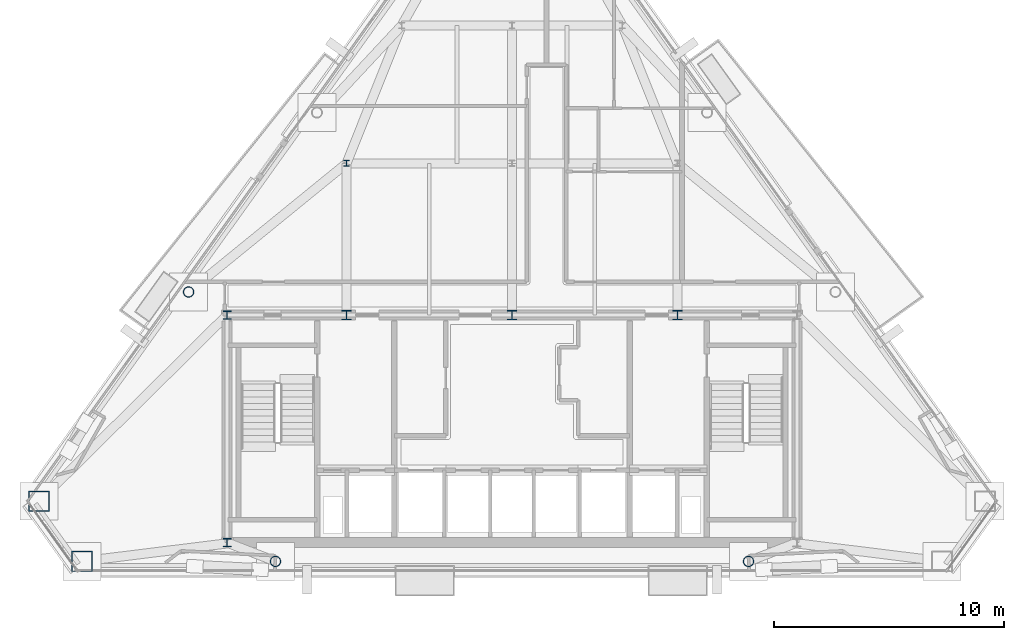
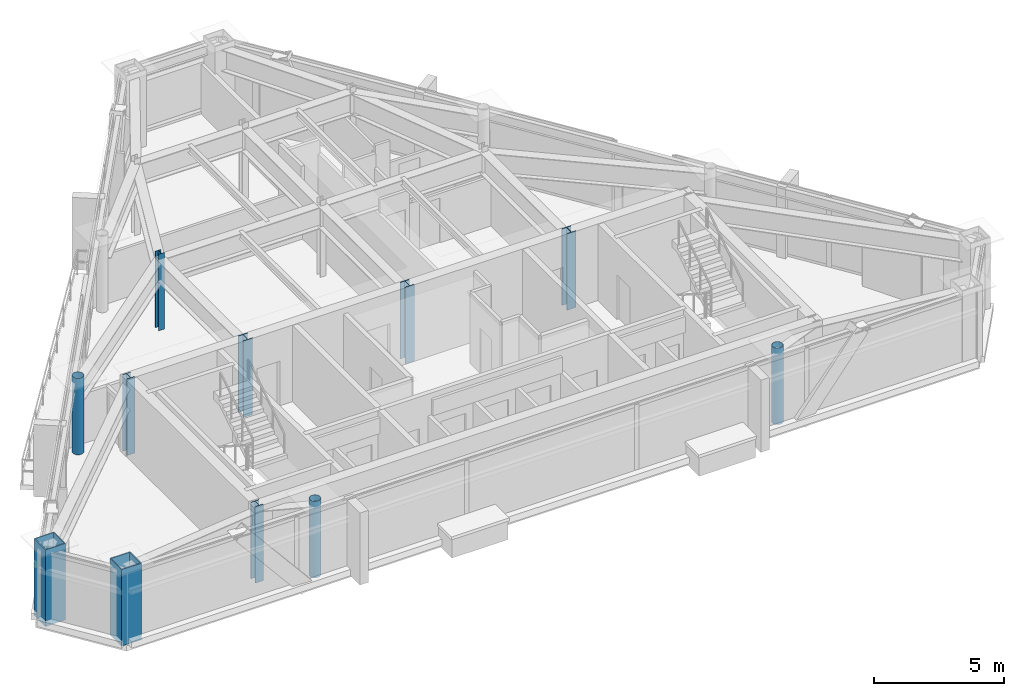
# One storey, part 1 of 11: 11 columns.
"""IFC4 building model written with IfcOpenShell, lengths in metres."""

from ifc_helpers import new_model, si_unit, direction, frame, origin, origin_2d, place, context, subcontext, project, spatial, hollow_rectangle, hollow_circle, i_section, extrude, material, material_profile, profile_set, type_object, element, save


model = new_model("IFC4")

# Units and contexts
model_context = context("Model", 3, precision=1e-05, world=origin(), true_north=direction((0.0, 1.0)))
body_context = subcontext(model_context, "Body", "Model", "MODEL_VIEW")
ifc_project = project(units=[si_unit("LENGTHUNIT", "METRE"), si_unit("AREAUNIT", "SQUARE_METRE"), si_unit("VOLUMEUNIT", "CUBIC_METRE"), si_unit("PLANEANGLEUNIT", "RADIAN"), si_unit("MASSUNIT", "GRAM", prefix="KILO")], contexts=[model_context])

# Site, building, storey
site_placement = place(None, origin())
site = spatial("IfcSite", under=ifc_project, at=site_placement, CompositionType="ELEMENT")
building_placement = place(site_placement, origin())
building = spatial("IfcBuilding", under=site, at=building_placement, Name="Talgorran Terracotta Tower", CompositionType="ELEMENT")
storey_placement = place(building_placement, frame((0.0, 0.0, 274.199951171875)))
storey = spatial("IfcBuildingStorey", under=building, at=storey_placement, Name="L72", CompositionType="ELEMENT", Elevation=274.199951171875)

# Columns
ifc_material_1 = material(Name="Steel S355 (300PLUS)", Category="steel")
ifc_material_profile_1 = material_profile(ifc_material_1, i_section(OverallWidth=0.256103515625, OverallDepth=0.260009765625, WebThickness=0.010498046875, FlangeThickness=0.017333984375, at=origin_2d()), Name="250UC89.5")
ifc_profile_set_1 = profile_set([ifc_material_profile_1], Name="Steel S355 (300PLUS)")
column_type_1 = type_object("IfcColumnType", Name="COL_250UC89", PredefinedType="COLUMN", material=ifc_profile_set_1)
column_placement = place(storey_placement, frame((-7.199951171875, 2.39990234375, 0.0), z_axis=(0.0, 0.0, 1.0), x_axis=(1.0, 0.0, 0.0)))
element("IfcColumn", 1, at=column_placement, inside=storey, type_object=column_type_1, Name="L72 Interior Gravity Column IC1", PredefinedType="COLUMN", context=body_context, shape_type="SweptSolid", body=[
    extrude(i_section(OverallWidth=0.256103515625, OverallDepth=0.260009765625, WebThickness=0.010498046875, FlangeThickness=0.017333984375, at=origin_2d()), origin(), (0.0, 0.0, 1.0), 3.60009765625),
])
ifc_material_profile_2 = material_profile(ifc_material_1, i_section(OverallWidth=0.35205078125, OverallDepth=0.35888671875, WebThickness=0.01806640625, FlangeThickness=0.02587890625, at=origin_2d()), Name="350WC197")
ifc_profile_set_2 = profile_set([ifc_material_profile_2], Name="Steel S355 (300PLUS)")
column_type_2 = type_object("IfcColumnType", Name="COL_350WC197", PredefinedType="COLUMN", material=ifc_profile_set_2)
for number, where, z_axis, x_axis, name in (
    (2, (-12.39990234375, -14.10009765625, 0.0), (0.0, 0.0, 1.0), (1.0, 0.0, 0.0), "L72 Core Boundary Column CC1"),
    (3, (-12.39990234375, -4.199951171875, 0.0), (0.0, 0.0, 1.0), (1.0, 0.0, 0.0), "L72 Core Boundary Column CC4"),
):
    element("IfcColumn", number, at=place(storey_placement, frame(where, z_axis=z_axis, x_axis=x_axis)), inside=storey, type_object=column_type_2, Name=name, PredefinedType="COLUMN", context=body_context, shape_type="SweptSolid", body=[
        extrude(i_section(OverallWidth=0.35205078125, OverallDepth=0.35888671875, WebThickness=0.01806640625, FlangeThickness=0.02587890625, at=origin_2d()), origin(), (0.0, 0.0, 1.0), 3.60009765625),
    ])
ifc_material_2 = material(Name="Steel Grade 350 (350L0)", Category="steel")
ifc_material_profile_3 = material_profile(ifc_material_2, hollow_rectangle(XDim=0.89990234375, YDim=0.89990234375, WallThickness=0.0400390625, at=origin_2d()), Name="CFT900X900X40")
ifc_profile_set_3 = profile_set([ifc_material_profile_3], Name="Steel Grade 350 (350L0)")
column_type_3 = type_object("IfcColumnType", Name="COL_CFT_900", PredefinedType="COLUMN", material=ifc_profile_set_3)
for number, where, z_axis, x_axis, name in (
    (4, (-20.5849609375, -12.303466796875, 0.0), (0.0, 0.0, 1.0), (1.0, 0.0, 0.0), "L72 Corner CFT Mega-Column MC1"),
    (5, (-18.71435546875, -14.9189453125, 0.0), (0.0, 0.0, 1.0), (1.0, 0.0, 0.0), "L72 Corner CFT Mega-Column MC2"),
):
    element("IfcColumn", number, at=place(storey_placement, frame(where, z_axis=z_axis, x_axis=x_axis)), inside=storey, type_object=column_type_3, Name=name, PredefinedType="COLUMN", context=body_context, shape_type="SweptSolid", body=[
        extrude(hollow_rectangle(XDim=0.89990234375, YDim=0.89990234375, WallThickness=0.0400390625, at=origin_2d()), origin(), (0.0, 0.0, 1.0), 3.60009765625),
    ])
ifc_material_3 = material(Name="Steel S350 (C350L0)", Category="steel")
ifc_material_profile_4 = material_profile(ifc_material_3, hollow_circle(Radius=0.228515625, WallThickness=0.01611328125, at=origin_2d()), Name="CHS457X16")
ifc_profile_set_4 = profile_set([ifc_material_profile_4], Name="Steel S350 (C350L0)")
column_type_4 = type_object("IfcColumnType", Name="COL_CHS_457", PredefinedType="COLUMN", material=ifc_profile_set_4)
for number, where, z_axis, x_axis, name in (
    (6, (-10.29296875, -14.9189453125, 0.0), (0.0, 0.0, 1.0), (1.0, 0.0, 0.0), "L72 Facet Perimeter Column FC1"),
    (7, (10.29296875, -14.9189453125, 0.0), (0.0, 0.0, 1.0), (1.0, 0.0, 0.0), "L72 Facet Perimeter Column FC2"),
    (8, (-14.071533203125, -3.1962890625, 0.0), (0.0, 0.0, 1.0), (1.0, 0.0, 0.0), "L72 Facet Perimeter Column FC6"),
):
    element("IfcColumn", number, at=place(storey_placement, frame(where, z_axis=z_axis, x_axis=x_axis)), inside=storey, type_object=column_type_4, Name=name, PredefinedType="COLUMN", context=body_context, shape_type="SweptSolid", body=[
        extrude(hollow_circle(Radius=0.228515625, WallThickness=0.01611328125, at=origin_2d()), origin(), (0.0, 0.0, 1.0), 3.60009765625),
    ])
ifc_material_profile_5 = material_profile(ifc_material_1, i_section(OverallWidth=0.405029296875, OverallDepth=0.4140625, WebThickness=0.02197265625, FlangeThickness=0.031982421875, at=origin_2d()), Name="400WC270")
ifc_profile_set_5 = profile_set([ifc_material_profile_5], Name="Steel S355 (300PLUS)")
column_type_5 = type_object("IfcColumnType", Name="COL_PIL_400WC270", PredefinedType="PILASTER", material=ifc_profile_set_5)
for number, where, z_axis, x_axis, name in (
    (9, (-7.199951171875, -4.199951171875, 0.0), (0.0, 0.0, 1.0), (1.0, 0.0, 0.0), "L72 Core Shear Pilaster CP1"),
    (10, (0.0, -4.199951171875, 0.0), (0.0, 0.0, 1.0), (1.0, 0.0, 0.0), "L72 Core Shear Pilaster CP2"),
    (11, (7.199951171875, -4.199951171875, 0.0), (0.0, 0.0, 1.0), (1.0, 0.0, 0.0), "L72 Core Shear Pilaster CP3"),
):
    element("IfcColumn", number, at=place(storey_placement, frame(where, z_axis=z_axis, x_axis=x_axis)), inside=storey, type_object=column_type_5, Name=name, PredefinedType="PILASTER", context=body_context, shape_type="SweptSolid", body=[
        extrude(i_section(OverallWidth=0.405029296875, OverallDepth=0.4140625, WebThickness=0.02197265625, FlangeThickness=0.031982421875, at=origin_2d()), origin(), (0.0, 0.0, 1.0), 3.60009765625),
    ])

save(model, "model.ifc")
